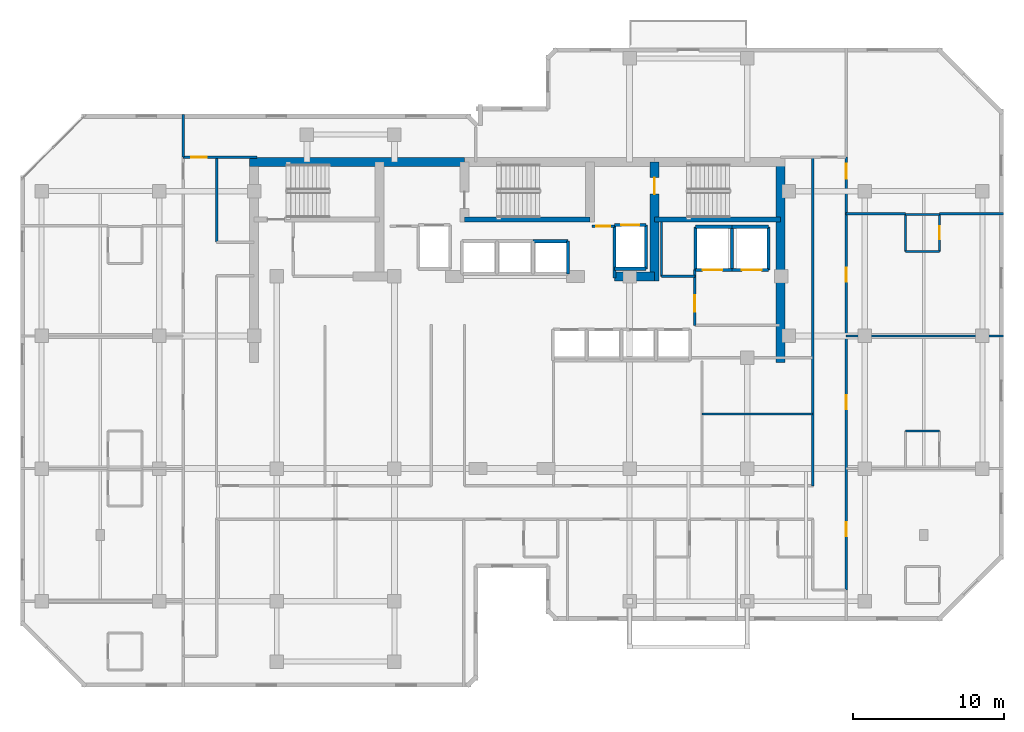
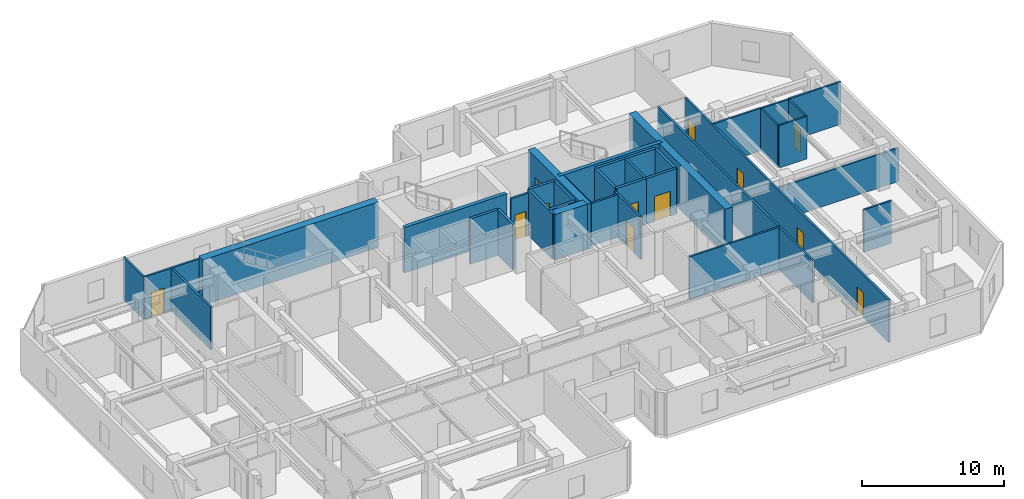
# One storey, part 7 of 10: 37 walls, 12 doors, 12 openings.
"""IFC4 building model written with IfcOpenShell, lengths in metres."""

from ifc_helpers import new_model, si_unit, direction, frame, frame_2d, origin, place, context, subcontext, project, spatial, rectangle, extrude, material, layer, layer_set, type_object, element, fill, save


model = new_model("IFC4")

# Units and contexts
model_context = context("Model", 3, precision=1e-05, world=origin(), true_north=direction((0.0, 1.0)))
body_context = subcontext(model_context, "Body", "Model", "MODEL_VIEW")
ifc_project = project(units=[si_unit("LENGTHUNIT", "METRE"), si_unit("AREAUNIT", "SQUARE_METRE"), si_unit("VOLUMEUNIT", "CUBIC_METRE"), si_unit("PLANEANGLEUNIT", "RADIAN"), si_unit("MASSUNIT", "GRAM", prefix="KILO")], contexts=[model_context])

# Site, building, storey
site_placement = place(None, origin())
site = spatial("IfcSite", under=ifc_project, at=site_placement, CompositionType="ELEMENT")
building_placement = place(site_placement, origin())
building = spatial("IfcBuilding", under=site, at=building_placement, Name="Kestravale Grand Hotel", CompositionType="ELEMENT")
storey_placement = place(building_placement, frame((0.0, 0.0, 224.10009765625)))
storey = spatial("IfcBuildingStorey", under=building, at=storey_placement, Name="L56", CompositionType="ELEMENT", Elevation=224.10009765625)

# Walls
ifc_material_1 = material(Name="Concrete f'c 50 MPa", Category="concrete")
ifc_layer_1 = layer(ifc_material_1, 0.60009765625)
ifc_layer_set_1 = layer_set([ifc_layer_1], Name="EW-CORE-600")
wall_type_1 = type_object("IfcWallType", Name="EW-CORE-600", PredefinedType="SHEAR", material=ifc_layer_set_1)
wall_1_placement = place(storey_placement, frame((21.60009765625, 40.320068359375, 0.0), z_axis=(0.0, 0.0, 1.0), x_axis=(1.0, 0.0, 0.0)))
element("IfcWall", 1, at=wall_1_placement, inside=storey, type_object=wall_type_1, Name="L56 core shear wall N1", PredefinedType="SHEAR", context=body_context, shape_type="SweptSolid", body=[
    extrude(rectangle(XDim=14.25, YDim=0.60009765625, at=frame_2d((7.125, 0.0))), origin(), (0.0, 0.0, 1.0), 3.89990234375),
])
wall_2_placement = place(storey_placement, frame((56.820068359375, 27.050048828125, 0.0), z_axis=(0.0, 0.0, 1.0), x_axis=(0.0, 1.0, 0.0)))
element("IfcWall", 2, at=wall_2_placement, inside=storey, type_object=wall_type_1, Name="L56 core shear wall E1", PredefinedType="SHEAR", context=body_context, shape_type="SweptSolid", body=[
    extrude(rectangle(XDim=13.570068359375, YDim=0.60009765625, at=frame_2d((6.78515625, 0.0))), origin(), (0.0, 0.0, 1.0), 3.89990234375),
])
wall_3_placement = place(storey_placement, frame((45.81005859375, 32.75, 0.0), z_axis=(0.0, 0.0, 1.0), x_axis=(1.0, 0.0, 0.0)))
element("IfcWall", 3, at=wall_3_placement, inside=storey, type_object=wall_type_1, Name="L56 core shear wall S2", PredefinedType="SHEAR", context=body_context, shape_type="SweptSolid", body=[
    extrude(rectangle(XDim=2.639892578125, YDim=0.60009765625, at=frame_2d((1.31982421875, 0.0))), origin(), (0.0, 0.0, 1.0), 3.89990234375),
])

# Wall, opening, door
wall_4_placement = place(storey_placement, frame((48.449951171875, 32.449951171875, 0.0), z_axis=(0.0, 0.0, 1.0), x_axis=(0.0, 1.0, 0.0)))
wall_4 = element("IfcWall", 4, at=wall_4_placement, inside=storey, type_object=wall_type_1, Name="L56 core shear wall X4", PredefinedType="SHEAR", context=body_context, shape_type="SweptSolid", body=[
    extrude(rectangle(XDim=7.8701171875, YDim=0.60009765625, at=frame_2d((3.93505859375, 0.0))), origin(), (0.0, 0.0, 1.0), 3.89990234375),
])
opening_1_placement = place(wall_4_placement, frame((5.75, 0.0, 0.0)))
opening_1 = element("IfcOpeningElement", 5, at=opening_1_placement, cuts=wall_4, Name="Opening D-ST-1100", PredefinedType="OPENING", context=body_context, shape_type="SweptSolid", body=[
    extrude(rectangle(XDim=1.10009765625, YDim=2.14990234375, at=frame_2d((0.550048828125, 1.074951171875))), frame((0.0, 0.31005859375, 0.0), z_axis=(0.0, -1.0, 0.0), x_axis=(1.0, 0.0, 0.0)), (0.0, 0.0, 1.0), 0.6201171875),
])
ifc_material_2 = material(Name="Galvanised 90-minute fire-rated steel stair door", Category="steel")
door_type_1 = type_object("IfcDoorType", Name="D-ST-1100", OperationType="NOTDEFINED", PredefinedType="DOOR", material=ifc_material_2)
door_1_placement = place(opening_1_placement, origin())
door_1 = element("IfcDoor", 6, at=door_1_placement, inside=storey, type_object=door_type_1, Name="L56 Stair ST-3 FSAE fire door", OperationType="SINGLE_SWING_RIGHT", OverallHeight=2.14990234375, OverallWidth=1.10009765625, PredefinedType="DOOR", context=body_context, shape_type="SweptSolid", body=[
    extrude(rectangle(XDim=1.10009765625, YDim=2.14990234375, at=frame_2d((0.550048828125, 1.074951171875))), frame((0.0, 0.02490234375, 0.0), z_axis=(0.0, -1.0, 0.0), x_axis=(1.0, 0.0, 0.0)), (0.0, 0.0, 1.0), 0.050048828125),
])
fill(opening_1, door_1)

# Walls
ifc_material_3 = material(Name="Concrete f'c 45 MPa", Category="concrete")
ifc_layer_2 = layer(ifc_material_3, 0.300048828125)
ifc_layer_set_2 = layer_set([ifc_layer_2], Name="EW-STAIR-300")
wall_type_2 = type_object("IfcWallType", Name="EW-STAIR-300", PredefinedType="SHEAR", material=ifc_layer_set_2)
wall_5_placement = place(storey_placement, frame((35.85009765625, 36.52001953125, 0.0), z_axis=(0.0, 0.0, 1.0), x_axis=(1.0, 0.0, 0.0)))
element("IfcWall", 7, at=wall_5_placement, inside=storey, type_object=wall_type_2, Name="L56 stair enclosure shear wall SST2", PredefinedType="SHEAR", context=body_context, shape_type="SweptSolid", body=[
    extrude(rectangle(XDim=8.329833984375, YDim=0.300048828125, at=frame_2d((4.1650390625, 0.0))), origin(), (0.0, 0.0, 1.0), 3.89990234375),
])
wall_6_placement = place(storey_placement, frame((48.449951171875, 36.52001953125, 0.0), z_axis=(0.0, 0.0, 1.0), x_axis=(1.0, 0.0, 0.0)))
element("IfcWall", 8, at=wall_6_placement, inside=storey, type_object=wall_type_2, Name="L56 stair enclosure shear wall SST3", PredefinedType="SHEAR", context=body_context, shape_type="SweptSolid", body=[
    extrude(rectangle(XDim=8.3701171875, YDim=0.300048828125, at=frame_2d((4.18505859375, 0.0))), origin(), (0.0, 0.0, 1.0), 3.89990234375),
])

# Wall, opening, door
ifc_material_4 = material(Name="Acoustic fire-rated gypsum board partition", Category="other")
ifc_layer_3 = layer(ifc_material_4, 0.159912109375)
ifc_layer_set_3 = layer_set([ifc_layer_3], Name="IW-CORR-160")
wall_type_3 = type_object("IfcWallType", Name="IW-CORR-160", PredefinedType="PARTITIONING", material=ifc_layer_set_3)
wall_7_placement = place(storey_placement, frame((51.1201171875, 29.5, 0.0), z_axis=(0.0, 0.0, 1.0), x_axis=(0.0, 1.0, 0.0)))
wall_7 = element("IfcWall", 9, at=wall_7_placement, inside=storey, type_object=wall_type_3, Name="W-L56-SVCLOB-W", PredefinedType="PARTITIONING", context=body_context, shape_type="SweptSolid", body=[
    extrude(rectangle(XDim=3.699951171875, YDim=0.159912109375, at=frame_2d((1.85009765625, 0.0))), origin(), (0.0, 0.0, 1.0), 3.64990234375),
])
opening_2_placement = place(wall_7_placement, frame((0.89990234375, 0.0, 0.0)))
opening_2 = element("IfcOpeningElement", 10, at=opening_2_placement, cuts=wall_7, Name="Opening D-CORR-1100", PredefinedType="OPENING", context=body_context, shape_type="SweptSolid", body=[
    extrude(rectangle(XDim=1.10009765625, YDim=2.14990234375, at=frame_2d((0.550048828125, 1.074951171875))), frame((0.0, 0.08984375, 0.0), z_axis=(0.0, -1.0, 0.0), x_axis=(1.0, 0.0, 0.0)), (0.0, 0.0, 1.0), 0.179931640625),
])
ifc_material_5 = material(Name="Single-leaf service vestibule fire door", Category="steel")
door_type_2 = type_object("IfcDoorType", Name="D-CORR-1100", OperationType="NOTDEFINED", PredefinedType="DOOR", material=ifc_material_5)
door_2_placement = place(opening_2_placement, origin())
door_2 = element("IfcDoor", 11, at=door_2_placement, inside=storey, type_object=door_type_2, Name="L56 service lift lobby door", OperationType="SINGLE_SWING_LEFT", OverallHeight=2.14990234375, OverallWidth=1.10009765625, PredefinedType="DOOR", context=body_context, shape_type="SweptSolid", body=[
    extrude(rectangle(XDim=1.10009765625, YDim=2.14990234375, at=frame_2d((0.550048828125, 1.074951171875))), frame((0.0, 0.02490234375, 0.0), z_axis=(0.0, -1.0, 0.0), x_axis=(1.0, 0.0, 0.0)), (0.0, 0.0, 1.0), 0.050048828125),
])
fill(opening_2, door_2)

# Walls
wall_8_placement = place(storey_placement, frame((48.919921875, 32.75, 0.0), z_axis=(0.0, 0.0, 1.0), x_axis=(1.0, 0.0, 0.0)))
element("IfcWall", 12, at=wall_8_placement, inside=storey, type_object=wall_type_3, Name="W-L56-CES", PredefinedType="PARTITIONING", context=body_context, shape_type="SweptSolid", body=[
    extrude(rectangle(XDim=2.2001953125, YDim=0.159912109375, at=frame_2d((1.10009765625, 0.0))), origin(), (0.0, 0.0, 1.0), 3.64990234375),
])
wall_9_placement = place(storey_placement, frame((19.409912109375, 35.02001953125, 0.0), z_axis=(0.0, 0.0, 1.0), x_axis=(0.0, 1.0, 0.0)))
element("IfcWall", 13, at=wall_9_placement, inside=storey, type_object=wall_type_3, Name="W-L56-SW-EN", PredefinedType="PARTITIONING", context=body_context, shape_type="SweptSolid", body=[
    extrude(rectangle(XDim=5.6298828125, YDim=0.159912109375, at=frame_2d((2.81494140625, 0.0))), origin(), (0.0, 0.0, 1.0), 3.64990234375),
])

# Wall, openings, doors
wall_10_placement = place(storey_placement, frame((61.159912109375, 11.949951171875, 0.0), z_axis=(0.0, 0.0, 1.0), x_axis=(0.0, 1.0, 0.0)))
wall_10 = element("IfcWall", 14, at=wall_10_placement, inside=storey, type_object=wall_type_3, Name="W-L56-SE-E", PredefinedType="PARTITIONING", context=body_context, shape_type="SweptSolid", body=[
    extrude(rectangle(XDim=28.699951171875, YDim=0.159912109375, at=frame_2d((14.35009765625, 0.0))), origin(), (0.0, 0.0, 1.0), 3.64990234375),
])
opening_3_placement = place(wall_10_placement, frame((3.550048828125, 0.0, 0.0)))
opening_3 = element("IfcOpeningElement", 15, at=opening_3_placement, cuts=wall_10, Name="Opening D-GUEST-950", PredefinedType="OPENING", context=body_context, shape_type="SweptSolid", body=[
    extrude(rectangle(XDim=0.949951171875, YDim=2.10009765625, at=frame_2d((0.47509765625, 1.050048828125))), frame((0.0, 0.08984375, 0.0), z_axis=(0.0, -1.0, 0.0), x_axis=(1.0, 0.0, 0.0)), (0.0, 0.0, 1.0), 0.179931640625),
])
opening_4_placement = place(wall_10_placement, frame((11.97509765625, 0.0, 0.0)))
opening_4 = element("IfcOpeningElement", 16, at=opening_4_placement, cuts=wall_10, Name="Opening D-GUEST-950", PredefinedType="OPENING", context=body_context, shape_type="SweptSolid", body=[
    extrude(rectangle(XDim=0.949951171875, YDim=2.10009765625, at=frame_2d((0.47509765625, 1.050048828125))), frame((0.0, 0.08984375, 0.0), z_axis=(0.0, -1.0, 0.0), x_axis=(1.0, 0.0, 0.0)), (0.0, 0.0, 1.0), 0.179931640625),
])
opening_5_placement = place(wall_10_placement, frame((20.425048828125, 0.0, 0.0)))
opening_5 = element("IfcOpeningElement", 17, at=opening_5_placement, cuts=wall_10, Name="Opening D-GUEST-950", PredefinedType="OPENING", context=body_context, shape_type="SweptSolid", body=[
    extrude(rectangle(XDim=0.949951171875, YDim=2.10009765625, at=frame_2d((0.47509765625, 1.050048828125))), frame((0.0, 0.08984375, 0.0), z_axis=(0.0, -1.0, 0.0), x_axis=(1.0, 0.0, 0.0)), (0.0, 0.0, 1.0), 0.179931640625),
])
opening_6_placement = place(wall_10_placement, frame((27.260009765625, 0.0, 0.0)))
opening_6 = element("IfcOpeningElement", 18, at=opening_6_placement, cuts=wall_10, Name="Opening D-GUEST-1000", PredefinedType="OPENING", context=body_context, shape_type="SweptSolid", body=[
    extrude(rectangle(XDim=1.0, YDim=2.14990234375, at=frame_2d((0.5, 1.074951171875))), frame((0.0, 0.08984375, 0.0), z_axis=(0.0, -1.0, 0.0), x_axis=(1.0, 0.0, 0.0)), (0.0, 0.0, 1.0), 0.179931640625),
])
ifc_material_6 = material(Name="Accessible walnut veneer hotel entrance fire door", Category="wood")
door_type_3 = type_object("IfcDoorType", Name="D-GUEST-1000", OperationType="NOTDEFINED", PredefinedType="DOOR", material=ifc_material_6)
door_3_placement = place(opening_6_placement, origin())
door_3 = element("IfcDoor", 19, at=door_3_placement, inside=storey, type_object=door_type_3, Name="D-L56-AMEW", OperationType="SINGLE_SWING_LEFT", OverallHeight=2.14990234375, OverallWidth=1.0, PredefinedType="DOOR", context=body_context, shape_type="SweptSolid", body=[
    extrude(rectangle(XDim=1.0, YDim=2.14990234375, at=frame_2d((0.5, 1.074951171875))), frame((0.0, 0.02490234375, 0.0), z_axis=(0.0, -1.0, 0.0), x_axis=(1.0, 0.0, 0.0)), (0.0, 0.0, 1.0), 0.050048828125),
])
fill(opening_6, door_3)
ifc_material_7 = material(Name="Walnut veneer hotel guestroom entrance fire door", Category="wood")
door_type_4 = type_object("IfcDoorType", Name="D-GUEST-950", OperationType="NOTDEFINED", PredefinedType="DOOR", material=ifc_material_7)
door_4_placement = place(opening_3_placement, origin())
door_4 = element("IfcDoor", 20, at=door_4_placement, inside=storey, type_object=door_type_4, Name="D-L56-U08-ENT", OperationType="SINGLE_SWING_RIGHT", OverallHeight=2.10009765625, OverallWidth=0.949951171875, PredefinedType="DOOR", context=body_context, shape_type="SweptSolid", body=[
    extrude(rectangle(XDim=0.949951171875, YDim=2.10009765625, at=frame_2d((0.47509765625, 1.050048828125))), frame((0.0, 0.02490234375, 0.0), z_axis=(0.0, -1.0, 0.0), x_axis=(1.0, 0.0, 0.0)), (0.0, 0.0, 1.0), 0.050048828125),
])
fill(opening_3, door_4)
door_5_placement = place(opening_4_placement, origin())
door_5 = element("IfcDoor", 21, at=door_5_placement, inside=storey, type_object=door_type_4, Name="D-L56-U09-ENT", OperationType="SINGLE_SWING_RIGHT", OverallHeight=2.10009765625, OverallWidth=0.949951171875, PredefinedType="DOOR", context=body_context, shape_type="SweptSolid", body=[
    extrude(rectangle(XDim=0.949951171875, YDim=2.10009765625, at=frame_2d((0.47509765625, 1.050048828125))), frame((0.0, 0.02490234375, 0.0), z_axis=(0.0, -1.0, 0.0), x_axis=(1.0, 0.0, 0.0)), (0.0, 0.0, 1.0), 0.050048828125),
])
fill(opening_4, door_5)
door_6_placement = place(opening_5_placement, origin())
door_6 = element("IfcDoor", 22, at=door_6_placement, inside=storey, type_object=door_type_4, Name="D-L56-U10-ENT", OperationType="SINGLE_SWING_RIGHT", OverallHeight=2.10009765625, OverallWidth=0.949951171875, PredefinedType="DOOR", context=body_context, shape_type="SweptSolid", body=[
    extrude(rectangle(XDim=0.949951171875, YDim=2.10009765625, at=frame_2d((0.47509765625, 1.050048828125))), frame((0.0, 0.02490234375, 0.0), z_axis=(0.0, -1.0, 0.0), x_axis=(1.0, 0.0, 0.0)), (0.0, 0.0, 1.0), 0.050048828125),
])
fill(opening_5, door_6)

# Wall
wall_11_placement = place(storey_placement, frame((58.93994140625, 18.860107421875, 0.0), z_axis=(0.0, 0.0, 1.0), x_axis=(0.0, 1.0, 0.0)))
element("IfcWall", 23, at=wall_11_placement, inside=storey, type_object=wall_type_3, Name="W-L56-SE-WU", PredefinedType="PARTITIONING", context=body_context, shape_type="SweptSolid", body=[
    extrude(rectangle(XDim=21.789794921875, YDim=0.159912109375, at=frame_2d((10.89501953125, 0.0))), origin(), (0.0, 0.0, 1.0), 3.64990234375),
])

# Wall, opening, door
ifc_material_8 = material(Name="Fire-rated gypsum board on steel studs with mineral wool", Category="steel")
ifc_layer_4 = layer(ifc_material_8, 0.179931640625)
ifc_layer_set_4 = layer_set([ifc_layer_4], Name="IW-FSAE-180")
wall_type_4 = type_object("IfcWallType", Name="IW-FSAE-180", PredefinedType="PARTITIONING", material=ifc_layer_set_4)
wall_12_placement = place(storey_placement, frame((44.300048828125, 36.080078125, 0.0), z_axis=(0.0, 0.0, 1.0), x_axis=(1.0, 0.0, 0.0)))
wall_12 = element("IfcWall", 24, at=wall_12_placement, inside=storey, type_object=wall_type_4, Name="L56 FSAE Lobby 2 smoke barrier", PredefinedType="PARTITIONING", context=body_context, shape_type="SweptSolid", body=[
    extrude(rectangle(XDim=1.5, YDim=0.179931640625, at=frame_2d((0.75, 0.0))), origin(), (0.0, 0.0, 1.0), 3.64990234375),
])
opening_7_placement = place(wall_12_placement, frame((0.300048828125, 0.0, 0.0)))
opening_7 = element("IfcOpeningElement", 25, at=opening_7_placement, cuts=wall_12, Name="Opening D-FSAE-1000", PredefinedType="OPENING", context=body_context, shape_type="SweptSolid", body=[
    extrude(rectangle(XDim=0.89990234375, YDim=2.14990234375, at=frame_2d((0.449951171875, 1.074951171875))), frame((0.0, 0.099853515625, 0.0), z_axis=(0.0, -1.0, 0.0), x_axis=(1.0, 0.0, 0.0)), (0.0, 0.0, 1.0), 0.199951171875),
])
ifc_material_9 = material(Name="Smoke-gasketed FSAE lobby fire door", Category="steel")
door_type_5 = type_object("IfcDoorType", Name="D-FSAE-1000", OperationType="NOTDEFINED", PredefinedType="DOOR", material=ifc_material_9)
door_7_placement = place(opening_7_placement, origin())
door_7 = element("IfcDoor", 26, at=door_7_placement, inside=storey, type_object=door_type_5, Name="L56 FSAE Lobby 2 fire door", OperationType="SINGLE_SWING_LEFT", OverallHeight=2.14990234375, OverallWidth=0.89990234375, PredefinedType="DOOR", context=body_context, shape_type="SweptSolid", body=[
    extrude(rectangle(XDim=0.89990234375, YDim=2.14990234375, at=frame_2d((0.449951171875, 1.074951171875))), frame((0.0, 0.02490234375, 0.0), z_axis=(0.0, -1.0, 0.0), x_axis=(1.0, 0.0, 0.0)), (0.0, 0.0, 1.0), 0.050048828125),
])
fill(opening_7, door_7)

# Walls
ifc_material_10 = material(Name="Moisture-resistant tile-backer plumbing chase wall", Category="other")
ifc_layer_5 = layer(ifc_material_10, 0.139892578125)
ifc_layer_set_5 = layer_set([ifc_layer_5], Name="IW-PLB-140")
wall_type_5 = type_object("IfcWallType", Name="IW-PLB-140", PredefinedType="PLUMBINGWALL", material=ifc_layer_set_5)
wall_13_placement = place(storey_placement, frame((65.10009765625, 22.489990234375, 0.0), z_axis=(0.0, 0.0, 1.0), x_axis=(1.0, 0.0, 0.0)))
element("IfcWall", 27, at=wall_13_placement, inside=storey, type_object=wall_type_5, Name="W-L56-U09-BN", PredefinedType="PLUMBINGWALL", context=body_context, shape_type="SweptSolid", body=[
    extrude(rectangle(XDim=2.25, YDim=0.139892578125, at=frame_2d((1.125, 0.0))), origin(), (0.0, 0.0, 1.0), 3.64990234375),
])
wall_14_placement = place(storey_placement, frame((65.10009765625, 34.409912109375, 0.0), z_axis=(0.0, 0.0, 1.0), x_axis=(0.0, 1.0, 0.0)))
element("IfcWall", 28, at=wall_14_placement, inside=storey, type_object=wall_type_5, Name="W-L56-U10-BW", PredefinedType="PLUMBINGWALL", context=body_context, shape_type="SweptSolid", body=[
    extrude(rectangle(XDim=2.4501953125, YDim=0.139892578125, at=frame_2d((1.22509765625, 0.0))), origin(), (0.0, 0.0, 1.0), 3.64990234375),
])

# Wall, opening, door
wall_15_placement = place(storey_placement, frame((67.35009765625, 34.409912109375, 0.0), z_axis=(0.0, 0.0, 1.0), x_axis=(0.0, 1.0, 0.0)))
wall_15 = element("IfcWall", 29, at=wall_15_placement, inside=storey, type_object=wall_type_5, Name="W-L56-U10-BE", PredefinedType="PLUMBINGWALL", context=body_context, shape_type="SweptSolid", body=[
    extrude(rectangle(XDim=2.4501953125, YDim=0.139892578125, at=frame_2d((1.22509765625, 0.0))), origin(), (0.0, 0.0, 1.0), 3.64990234375),
])
opening_8_placement = place(wall_15_placement, frame((0.784912109375, 0.0, 0.0)))
opening_8 = element("IfcOpeningElement", 30, at=opening_8_placement, cuts=wall_15, Name="Opening D-BATH-880", PredefinedType="OPENING", context=body_context, shape_type="SweptSolid", body=[
    extrude(rectangle(XDim=0.8798828125, YDim=2.050048828125, at=frame_2d((0.43994140625, 1.02490234375))), frame((0.0, 0.079833984375, 0.0), z_axis=(0.0, -1.0, 0.0), x_axis=(1.0, 0.0, 0.0)), (0.0, 0.0, 1.0), 0.159912109375),
])
ifc_material_11 = material(Name="Moisture-sealed walnut en-suite bathroom door", Category="wood")
door_type_6 = type_object("IfcDoorType", Name="D-BATH-880", OperationType="NOTDEFINED", PredefinedType="DOOR", material=ifc_material_11)
door_8_placement = place(opening_8_placement, origin())
door_8 = element("IfcDoor", 31, at=door_8_placement, inside=storey, type_object=door_type_6, Name="D-L56-U10-BATH", OperationType="SINGLE_SWING_LEFT", OverallHeight=2.050048828125, OverallWidth=0.8798828125, PredefinedType="DOOR", context=body_context, shape_type="SweptSolid", body=[
    extrude(rectangle(XDim=0.8798828125, YDim=2.050048828125, at=frame_2d((0.43994140625, 1.02490234375))), frame((0.0, 0.02490234375, 0.0), z_axis=(0.0, -1.0, 0.0), x_axis=(1.0, 0.0, 0.0)), (0.0, 0.0, 1.0), 0.050048828125),
])
fill(opening_8, door_8)

# Walls
for number, where, z_axis, x_axis, name in (
    (32, (65.10009765625, 34.409912109375, 0.0), (0.0, 0.0, 1.0), (1.0, 0.0, 0.0), "W-L56-U10-BS"),
    (33, (65.10009765625, 36.860107421875, 0.0), (0.0, 0.0, 1.0), (1.0, 0.0, 0.0), "W-L56-U10-BN"),
):
    element("IfcWall", number, at=place(storey_placement, frame(where, z_axis=z_axis, x_axis=x_axis)), inside=storey, type_object=wall_type_5, Name=name, PredefinedType="PLUMBINGWALL", context=body_context, shape_type="SweptSolid", body=[
        extrude(rectangle(XDim=2.25, YDim=0.139892578125, at=frame_2d((1.125, 0.0))), origin(), (0.0, 0.0, 1.0), 3.64990234375),
    ])
ifc_material_12 = material(Name="Concrete f'c 45 MPa", Category="concrete")
ifc_layer_6 = layer(ifc_material_12, 0.199951171875)
ifc_layer_set_6 = layer_set([ifc_layer_6], Name="IW-SHAFT-200")
wall_type_6 = type_object("IfcWallType", Name="IW-SHAFT-200", PredefinedType="SHEAR", material=ifc_layer_set_6)
wall_16_placement = place(storey_placement, frame((42.719970703125, 32.919921875, 0.0), z_axis=(0.0, 0.0, 1.0), x_axis=(0.0, 1.0, 0.0)))
element("IfcWall", 34, at=wall_16_placement, inside=storey, type_object=wall_type_6, Name="L56 PL-X3 east shaft wall", PredefinedType="SHEAR", context=body_context, shape_type="SweptSolid", body=[
    extrude(rectangle(XDim=2.16015625, YDim=0.199951171875, at=frame_2d((1.080078125, 0.0))), origin(), (0.0, 0.0, 1.0), 3.89990234375),
])
for number, where, z_axis, x_axis, name in (
    (35, (51.179931640625, 33.169921875, 0.0), (0.0, 0.0, 1.0), (0.0, 1.0, 0.0), "L56 SL-1 west shaft wall"),
    (36, (53.60009765625, 33.169921875, 0.0), (0.0, 0.0, 1.0), (0.0, 1.0, 0.0), "L56 SL-2 west shaft wall"),
    (37, (56.02001953125, 33.169921875, 0.0), (0.0, 0.0, 1.0), (0.0, 1.0, 0.0), "L56 SL-2 east shaft wall"),
):
    element("IfcWall", number, at=place(storey_placement, frame(where, z_axis=z_axis, x_axis=x_axis)), inside=storey, type_object=wall_type_6, Name=name, PredefinedType="SHEAR", context=body_context, shape_type="SweptSolid", body=[
        extrude(rectangle(XDim=2.860107421875, YDim=0.199951171875, at=frame_2d((1.43017578125, 0.0))), origin(), (0.0, 0.0, 1.0), 3.89990234375),
    ])
wall_17_placement = place(storey_placement, frame((45.804931640625, 32.64990234375, 0.0), z_axis=(0.0, 0.0, 1.0), x_axis=(0.0, 1.0, 0.0)))
element("IfcWall", 38, at=wall_17_placement, inside=storey, type_object=wall_type_6, Name="L56 FL-2 west shaft wall", PredefinedType="SHEAR", context=body_context, shape_type="SweptSolid", body=[
    extrude(rectangle(XDim=3.505126953125, YDim=0.199951171875, at=frame_2d((1.75244140625, 0.0))), origin(), (0.0, 0.0, 1.0), 3.89990234375),
])
wall_18_placement = place(storey_placement, frame((47.89501953125, 33.2451171875, 0.0), z_axis=(0.0, 0.0, 1.0), x_axis=(0.0, 1.0, 0.0)))
element("IfcWall", 39, at=wall_18_placement, inside=storey, type_object=wall_type_6, Name="L56 FL-2 east shaft wall", PredefinedType="SHEAR", context=body_context, shape_type="SweptSolid", body=[
    extrude(rectangle(XDim=2.909912109375, YDim=0.199951171875, at=frame_2d((1.455078125, 0.0))), origin(), (0.0, 0.0, 1.0), 3.89990234375),
])
ifc_material_13 = material(Name="Concrete f'c 45 MPa", Category="concrete")
ifc_layer_7 = layer(ifc_material_13, 0.219970703125)
ifc_layer_set_7 = layer_set([ifc_layer_7], Name="IW-SHAFT-220")
wall_type_7 = type_object("IfcWallType", Name="IW-SHAFT-220", PredefinedType="SHEAR", material=ifc_layer_set_7)
wall_19_placement = place(storey_placement, frame((40.39990234375, 35.080078125, 0.0), z_axis=(0.0, 0.0, 1.0), x_axis=(1.0, 0.0, 0.0)))
element("IfcWall", 40, at=wall_19_placement, inside=storey, type_object=wall_type_7, Name="L56 PL-X3 north shaft wall", PredefinedType="SHEAR", context=body_context, shape_type="SweptSolid", body=[
    extrude(rectangle(XDim=2.320068359375, YDim=0.219970703125, at=frame_2d((1.16015625, 0.0))), origin(), (0.0, 0.0, 1.0), 3.89990234375),
])
wall_20_placement = place(storey_placement, frame((51.179931640625, 36.030029296875, 0.0), z_axis=(0.0, 0.0, 1.0), x_axis=(1.0, 0.0, 0.0)))
element("IfcWall", 41, at=wall_20_placement, inside=storey, type_object=wall_type_7, Name="L56 SL-1 north shaft wall", PredefinedType="SHEAR", context=body_context, shape_type="SweptSolid", body=[
    extrude(rectangle(XDim=2.420166015625, YDim=0.219970703125, at=frame_2d((1.2099609375, 0.0))), origin(), (0.0, 0.0, 1.0), 3.89990234375),
])

# Wall, opening, door
wall_21_placement = place(storey_placement, frame((51.179931640625, 33.169921875, 0.0), z_axis=(0.0, 0.0, 1.0), x_axis=(1.0, 0.0, 0.0)))
wall_21 = element("IfcWall", 42, at=wall_21_placement, inside=storey, type_object=wall_type_7, Name="L56 SL-1 south shaft wall", PredefinedType="SHEAR", context=body_context, shape_type="SweptSolid", body=[
    extrude(rectangle(XDim=2.420166015625, YDim=0.219970703125, at=frame_2d((1.2099609375, 0.0))), origin(), (0.0, 0.0, 1.0), 3.89990234375),
])
opening_9_placement = place(wall_21_placement, frame((0.469970703125, 0.0, 0.0)))
opening_9 = element("IfcOpeningElement", 43, at=opening_9_placement, cuts=wall_21, Name="Opening LD-SVC-1300", PredefinedType="OPENING", context=body_context, shape_type="SweptSolid", body=[
    extrude(rectangle(XDim=1.300048828125, YDim=2.14990234375, at=frame_2d((0.64990234375, 1.074951171875))), frame((0.0, 0.119873046875, 0.0), z_axis=(0.0, -1.0, 0.0), x_axis=(1.0, 0.0, 0.0)), (0.0, 0.0, 1.0), 0.239990234375),
])
ifc_material_14 = material(Name="Heavy-duty service sliding elevator landing door", Category="steel")
door_type_7 = type_object("IfcDoorType", Name="LD-SVC-1300", OperationType="NOTDEFINED", PredefinedType="DOOR", material=ifc_material_14)
door_9_placement = place(opening_9_placement, origin())
door_9 = element("IfcDoor", 44, at=door_9_placement, inside=storey, type_object=door_type_7, Name="L56 SL-1 elevator landing sliding door", OperationType="DOUBLE_DOOR_SLIDING", OverallHeight=2.14990234375, OverallWidth=1.300048828125, PredefinedType="DOOR", context=body_context, shape_type="SweptSolid", body=[
    extrude(rectangle(XDim=1.300048828125, YDim=2.14990234375, at=frame_2d((0.64990234375, 1.074951171875))), frame((0.0, 0.02490234375, 0.0), z_axis=(0.0, -1.0, 0.0), x_axis=(1.0, 0.0, 0.0)), (0.0, 0.0, 1.0), 0.050048828125),
])
fill(opening_9, door_9)

# Wall
wall_22_placement = place(storey_placement, frame((53.60009765625, 36.030029296875, 0.0), z_axis=(0.0, 0.0, 1.0), x_axis=(1.0, 0.0, 0.0)))
element("IfcWall", 45, at=wall_22_placement, inside=storey, type_object=wall_type_7, Name="L56 SL-2 north shaft wall", PredefinedType="SHEAR", context=body_context, shape_type="SweptSolid", body=[
    extrude(rectangle(XDim=2.419921875, YDim=0.219970703125, at=frame_2d((1.2099609375, 0.0))), origin(), (0.0, 0.0, 1.0), 3.89990234375),
])

# Wall, opening, door
wall_23_placement = place(storey_placement, frame((53.60009765625, 33.169921875, 0.0), z_axis=(0.0, 0.0, 1.0), x_axis=(1.0, 0.0, 0.0)))
wall_23 = element("IfcWall", 46, at=wall_23_placement, inside=storey, type_object=wall_type_7, Name="L56 SL-2 south shaft wall", PredefinedType="SHEAR", context=body_context, shape_type="SweptSolid", body=[
    extrude(rectangle(XDim=2.419921875, YDim=0.219970703125, at=frame_2d((1.2099609375, 0.0))), origin(), (0.0, 0.0, 1.0), 3.89990234375),
])
opening_10_placement = place(wall_23_placement, frame((0.64990234375, 0.0, 0.0)))
opening_10 = element("IfcOpeningElement", 47, at=opening_10_placement, cuts=wall_23, Name="Opening LD-SVC-1300", PredefinedType="OPENING", context=body_context, shape_type="SweptSolid", body=[
    extrude(rectangle(XDim=1.300048828125, YDim=2.14990234375, at=frame_2d((0.64990234375, 1.074951171875))), frame((0.0, 0.119873046875, 0.0), z_axis=(0.0, -1.0, 0.0), x_axis=(1.0, 0.0, 0.0)), (0.0, 0.0, 1.0), 0.239990234375),
])
door_10_placement = place(opening_10_placement, origin())
door_10 = element("IfcDoor", 48, at=door_10_placement, inside=storey, type_object=door_type_7, Name="L56 SL-2 elevator landing sliding door", OperationType="DOUBLE_DOOR_SLIDING", OverallHeight=2.14990234375, OverallWidth=1.300048828125, PredefinedType="DOOR", context=body_context, shape_type="SweptSolid", body=[
    extrude(rectangle(XDim=1.300048828125, YDim=2.14990234375, at=frame_2d((0.64990234375, 1.074951171875))), frame((0.0, 0.02490234375, 0.0), z_axis=(0.0, -1.0, 0.0), x_axis=(1.0, 0.0, 0.0)), (0.0, 0.0, 1.0), 0.050048828125),
])
fill(opening_10, door_10)

wall_24_placement = place(storey_placement, frame((45.804931640625, 36.155029296875, 0.0), z_axis=(0.0, 0.0, 1.0), x_axis=(1.0, 0.0, 0.0)))
wall_24 = element("IfcWall", 49, at=wall_24_placement, inside=storey, type_object=wall_type_7, Name="L56 FL-2 north shaft wall", PredefinedType="SHEAR", context=body_context, shape_type="SweptSolid", body=[
    extrude(rectangle(XDim=2.090087890625, YDim=0.219970703125, at=frame_2d((1.044921875, 0.0))), origin(), (0.0, 0.0, 1.0), 3.89990234375),
])
opening_11_placement = place(wall_24_placement, frame((0.445068359375, 0.0, 0.0)))
opening_11 = element("IfcOpeningElement", 50, at=opening_11_placement, cuts=wall_24, Name="Opening LD-FSAE-1200", PredefinedType="OPENING", context=body_context, shape_type="SweptSolid", body=[
    extrude(rectangle(XDim=1.199951171875, YDim=2.14990234375, at=frame_2d((0.60009765625, 1.074951171875))), frame((0.0, 0.119873046875, 0.0), z_axis=(0.0, -1.0, 0.0), x_axis=(1.0, 0.0, 0.0)), (0.0, 0.0, 1.0), 0.239990234375),
])
ifc_material_15 = material(Name="Stainless fire-service sliding elevator landing door", Category="steel")
door_type_8 = type_object("IfcDoorType", Name="LD-FSAE-1200", OperationType="NOTDEFINED", PredefinedType="DOOR", material=ifc_material_15)
door_11_placement = place(opening_11_placement, origin())
door_11 = element("IfcDoor", 51, at=door_11_placement, inside=storey, type_object=door_type_8, Name="L56 FL-2 elevator landing sliding door", OperationType="DOUBLE_DOOR_SLIDING", OverallHeight=2.14990234375, OverallWidth=1.199951171875, PredefinedType="DOOR", context=body_context, shape_type="SweptSolid", body=[
    extrude(rectangle(XDim=1.199951171875, YDim=2.14990234375, at=frame_2d((0.60009765625, 1.074951171875))), frame((0.0, 0.02490234375, 0.0), z_axis=(0.0, -1.0, 0.0), x_axis=(1.0, 0.0, 0.0)), (0.0, 0.0, 1.0), 0.050048828125),
])
fill(opening_11, door_11)

# Walls
wall_25_placement = place(storey_placement, frame((45.804931640625, 33.2451171875, 0.0), z_axis=(0.0, 0.0, 1.0), x_axis=(1.0, 0.0, 0.0)))
element("IfcWall", 52, at=wall_25_placement, inside=storey, type_object=wall_type_7, Name="L56 FL-2 south shaft wall", PredefinedType="SHEAR", context=body_context, shape_type="SweptSolid", body=[
    extrude(rectangle(XDim=2.090087890625, YDim=0.219970703125, at=frame_2d((1.044921875, 0.0))), origin(), (0.0, 0.0, 1.0), 3.89990234375),
])
ifc_material_16 = material(Name="Double-stud STC 52 acoustic demising partition", Category="other")
ifc_layer_8 = layer(ifc_material_16, 0.14990234375)
ifc_layer_set_8 = layer_set([ifc_layer_8], Name="IW-UNIT-150")
wall_type_8 = type_object("IfcWallType", Name="IW-UNIT-150", PredefinedType="PARTITIONING", material=ifc_layer_set_8)
wall_26_placement = place(storey_placement, frame((48.919921875, 32.75, 0.0), z_axis=(0.0, 0.0, 1.0), x_axis=(0.0, 1.0, 0.0)))
element("IfcWall", 53, at=wall_26_placement, inside=storey, type_object=wall_type_8, Name="W-L56-CEW", PredefinedType="PARTITIONING", context=body_context, shape_type="SweptSolid", body=[
    extrude(rectangle(XDim=3.6201171875, YDim=0.14990234375, at=frame_2d((1.81005859375, 0.0))), origin(), (0.0, 0.0, 1.0), 3.64990234375),
])

# Wall, opening, door
wall_27_placement = place(storey_placement, frame((17.18994140625, 40.64990234375, 0.0), z_axis=(0.0, 0.0, 1.0), x_axis=(1.0, 0.0, 0.0)))
wall_27 = element("IfcWall", 54, at=wall_27_placement, inside=storey, type_object=wall_type_8, Name="W-L56-SW-N", PredefinedType="PARTITIONING", context=body_context, shape_type="SweptSolid", body=[
    extrude(rectangle(XDim=4.91015625, YDim=0.14990234375, at=frame_2d((2.455078125, 0.0))), origin(), (0.0, 0.0, 1.0), 3.64990234375),
])
opening_12_placement = place(wall_27_placement, frame((0.550048828125, 0.0, 0.0)))
opening_12 = element("IfcOpeningElement", 55, at=opening_12_placement, cuts=wall_27, Name="Opening D-GUEST-1000", PredefinedType="OPENING", context=body_context, shape_type="SweptSolid", body=[
    extrude(rectangle(XDim=1.0, YDim=2.14990234375, at=frame_2d((0.5, 1.074951171875))), frame((0.0, 0.0849609375, 0.0), z_axis=(0.0, -1.0, 0.0), x_axis=(1.0, 0.0, 0.0)), (0.0, 0.0, 1.0), 0.169921875),
])
door_12_placement = place(opening_12_placement, origin())
door_12 = element("IfcDoor", 56, at=door_12_placement, inside=storey, type_object=door_type_3, Name="L56 NW Gallery Door", OperationType="SINGLE_SWING_RIGHT", OverallHeight=2.14990234375, OverallWidth=1.0, PredefinedType="DOOR", context=body_context, shape_type="SweptSolid", body=[
    extrude(rectangle(XDim=1.0, YDim=2.14990234375, at=frame_2d((0.5, 1.074951171875))), frame((0.0, 0.02490234375, 0.0), z_axis=(0.0, -1.0, 0.0), x_axis=(1.0, 0.0, 0.0)), (0.0, 0.0, 1.0), 0.050048828125),
])
fill(opening_12, door_12)

# Walls
wall_28_placement = place(storey_placement, frame((51.60009765625, 23.6201171875, 0.0), z_axis=(0.0, 0.0, 1.0), x_axis=(1.0, 0.0, 0.0)))
element("IfcWall", 57, at=wall_28_placement, inside=storey, type_object=wall_type_8, Name="W-L56-RCLE-H", PredefinedType="PARTITIONING", context=body_context, shape_type="SweptSolid", body=[
    extrude(rectangle(XDim=7.33984375, YDim=0.14990234375, at=frame_2d((3.669921875, 0.0))), origin(), (0.0, 0.0, 1.0), 3.64990234375),
])
wall_29_placement = place(storey_placement, frame((17.18994140625, 40.64990234375, 0.0), z_axis=(0.0, 0.0, 1.0), x_axis=(0.0, 1.0, 0.0)))
element("IfcWall", 58, at=wall_29_placement, inside=storey, type_object=wall_type_8, Name="W-L56-NGW-W", PredefinedType="PARTITIONING", context=body_context, shape_type="SweptSolid", body=[
    extrude(rectangle(XDim=2.830078125, YDim=0.14990234375, at=frame_2d((1.4150390625, 0.0))), origin(), (0.0, 0.0, 1.0), 3.64990234375),
])
wall_30_placement = place(storey_placement, frame((61.159912109375, 28.800048828125, 0.0), z_axis=(0.0, 0.0, 1.0), x_axis=(1.0, 0.0, 0.0)))
element("IfcWall", 59, at=wall_30_placement, inside=storey, type_object=wall_type_8, Name="W-L56-EW-2", PredefinedType="PARTITIONING", context=body_context, shape_type="SweptSolid", body=[
    extrude(rectangle(XDim=10.420166015625, YDim=0.14990234375, at=frame_2d((5.2099609375, 0.0))), origin(), (0.0, 0.0, 1.0), 2.8779296875),
])
wall_31_placement = place(storey_placement, frame((61.159912109375, 36.89990234375, 0.0), z_axis=(0.0, 0.0, 1.0), x_axis=(1.0, 0.0, 0.0)))
element("IfcWall", 60, at=wall_31_placement, inside=storey, type_object=wall_type_8, Name="W-L56-EW-3", PredefinedType="PARTITIONING", context=body_context, shape_type="SweptSolid", body=[
    extrude(rectangle(XDim=3.940185546875, YDim=0.14990234375, at=frame_2d((1.97021484375, 0.0))), origin(), (0.0, 0.0, 1.0), 3.64990234375),
])
wall_32_placement = place(storey_placement, frame((67.35009765625, 36.89990234375, 0.0), z_axis=(0.0, 0.0, 1.0), x_axis=(1.0, 0.0, 0.0)))
element("IfcWall", 61, at=wall_32_placement, inside=storey, type_object=wall_type_8, Name="W-L56-EW-3", PredefinedType="PARTITIONING", context=body_context, shape_type="SweptSolid", body=[
    extrude(rectangle(XDim=4.22998046875, YDim=0.14990234375, at=frame_2d((2.114990234375, 0.0))), origin(), (0.0, 0.0, 1.0), 3.64990234375),
])

save(model, "model.ifc")
